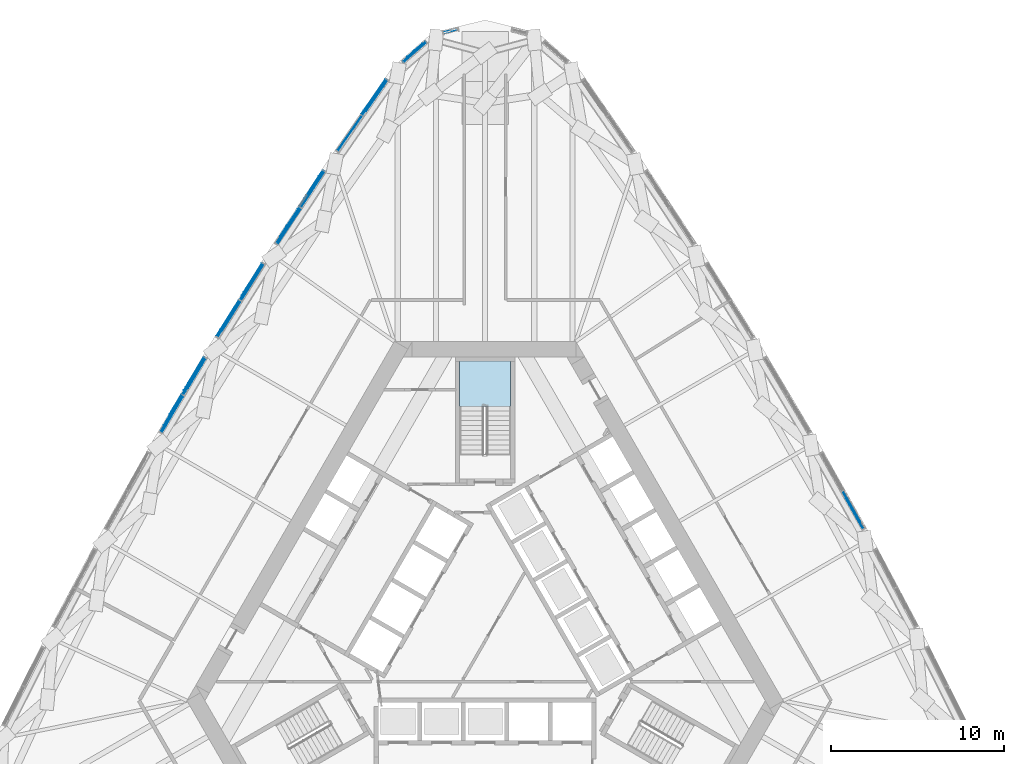
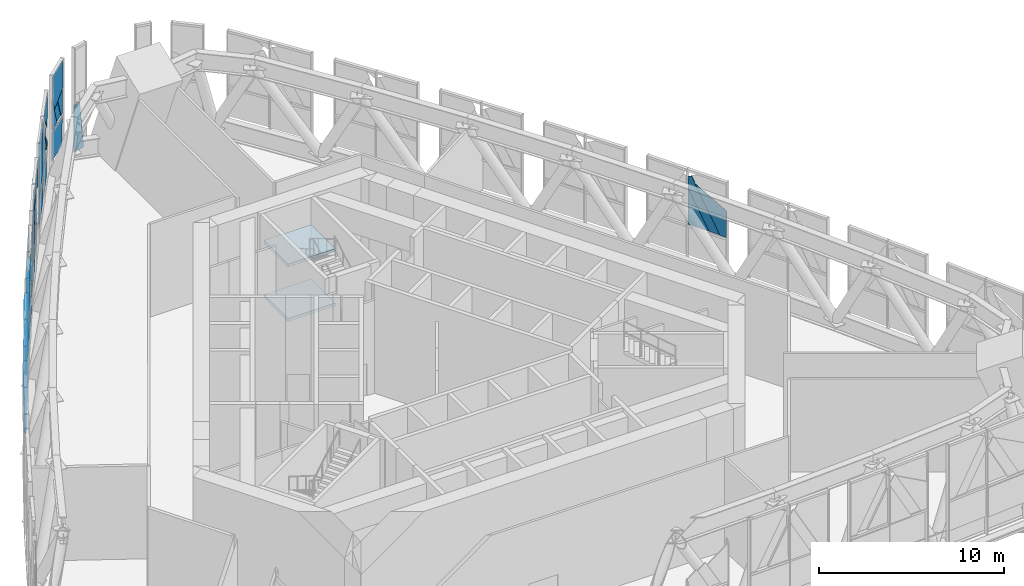
# One storey, part 16 of 33: 44 plates, 2 slabs, 4 elements without a shape of their own.
"""IFC4 building model written with IfcOpenShell, lengths in metres."""

from ifc_helpers import new_model, si_unit, direction, frame, origin, origin_2d, place, context, subcontext, project, spatial, polyline, rectangle, outline, extrude, material, layer, layer_set, type_object, element, aggregate, save


model = new_model("IFC4")

# Units and contexts
model_context = context("Model", 3, precision=1e-05, world=origin(), true_north=direction((0.0, 1.0)))
body_context = subcontext(model_context, "Body", "Model", "MODEL_VIEW")
ifc_project = project(units=[si_unit("LENGTHUNIT", "METRE"), si_unit("AREAUNIT", "SQUARE_METRE"), si_unit("VOLUMEUNIT", "CUBIC_METRE"), si_unit("PLANEANGLEUNIT", "RADIAN"), si_unit("MASSUNIT", "GRAM", prefix="KILO")], contexts=[model_context])

# Site, building, storey
site_placement = place(None, origin())
site = spatial("IfcSite", under=ifc_project, at=site_placement, CompositionType="ELEMENT")
building_placement = place(site_placement, origin())
building = spatial("IfcBuilding", under=site, at=building_placement, Name="Mestral Congress Tower", CompositionType="ELEMENT")
storey_placement = place(building_placement, frame((0.0, 0.0, 134.39990234375)))
storey = spatial("IfcBuildingStorey", under=building, at=storey_placement, Name="L32", CompositionType="ELEMENT", Elevation=134.39990234375)

# Stair, slabs
ifc_material_1 = material(Name="Concrete C60/75", Category="concrete")
stair_type = type_object("IfcStairType", Name="Exit stair 1400", PredefinedType="HALF_TURN_STAIR", material=ifc_material_1)
placement = place(storey_placement, origin())
stair = element("IfcStair", 1, at=placement, inside=storey, type_object=stair_type, Name="L32 ST2", PredefinedType="HALF_TURN_STAIR")
ifc_layer_1 = layer(ifc_material_1, 0.199951171875)
ifc_layer_set_1 = layer_set([ifc_layer_1], Name="Concrete C60/75")
slab_type = type_object("IfcSlabType", Name="Exit stair landing 200", PredefinedType="LANDING", material=ifc_layer_set_1)
slab_1_placement = place(storey_placement, frame((0.0, 0.0, 1.60009765625)))
slab_1 = element("IfcSlab", 2, at=slab_1_placement, type_object=slab_type, Name="ST2 landing 1", PredefinedType="LANDING", context=body_context, shape_type="SweptSolid", body=[
    extrude(outline(polyline([(1.485107421875, 13.139892578125), (-1.485107421875, 13.139892578125), (-1.485107421875, 15.760009765625), (1.485107421875, 15.760009765625), (1.485107421875, 13.139892578125)])), origin(), (0.0, 0.0, 1.0), 0.199951171875),
])
slab_2_placement = place(storey_placement, frame((0.0, 0.0, 5.2001953125)))
slab_2 = element("IfcSlab", 3, at=slab_2_placement, type_object=slab_type, Name="ST2 landing 3", PredefinedType="LANDING", context=body_context, shape_type="SweptSolid", body=[
    extrude(outline(polyline([(1.485107421875, 13.139892578125), (-1.485107421875, 13.139892578125), (-1.485107421875, 15.760009765625), (1.485107421875, 15.760009765625), (1.485107421875, 13.139892578125)])), origin(), (0.0, 0.0, 1.0), 0.199951171875),
])
aggregate(stair, [slab_1, slab_2])

# Curtain wall, plate
ifc_material_2 = material(Name="Clear low-emissivity double glazing", Category="glass")
curtain_wall_type = type_object("IfcCurtainWallType", Name="Facade sky lobby curtain wall", PredefinedType="USERDEFINED", material=ifc_material_2)
curtain_wall_1 = element("IfcCurtainWall", 4, at=placement, inside=storey, type_object=curtain_wall_type, Name="Facade sky lobby curtain wall face 2", ObjectType="CURTAIN WALL", PredefinedType="USERDEFINED")
ifc_material_3 = material(Name="Anodised aluminium", Category="aluminium")
ifc_layer_2 = layer(ifc_material_3, 0.031982421875)
ifc_layer_set_2 = layer_set([ifc_layer_2], Name="Anodised aluminium")
plate_type_1 = type_object("IfcPlateType", Name="Facade sky lobby curtain wall brace cover panel", PredefinedType="CURTAIN_PANEL", material=ifc_layer_set_2)
plate_1_placement = place(storey_placement, frame((20.725830078125, 8.232421875, 5.681640625), z_axis=(0.871719252501, 0.490001751785, 0.001956544568), x_axis=(0.23898934002, -0.421672463443, -0.874686474647)))
plate_1 = element("IfcPlate", 5, at=plate_1_placement, type_object=plate_type_1, Name="Facade sky lobby curtain wall brace cover panel", PredefinedType="CURTAIN_PANEL", context=body_context, shape_type="SweptSolid", body=[
    extrude(outline(polyline([(0.0, 0.0), (2.75712634184434, 0.0), (3.1002884120963685, -0.6192869659614917), (-0.6459607605218044, -0.6194148789116837), (-0.6459610632611102, -0.3579889431589903), (0.0, 0.0)])), origin(), (0.0, 0.0, -1.0), 0.031982421875),
])

# Curtain wall, plates
curtain_wall_2 = element("IfcCurtainWall", 6, at=placement, inside=storey, type_object=curtain_wall_type, Name="Facade sky lobby curtain wall face 3", ObjectType="CURTAIN WALL", PredefinedType="USERDEFINED")
plate_2_placement = place(storey_placement, frame((-7.118896484375, 30.0126953125, 3.130126953125), z_axis=(-0.822263570428, 0.569103115967, 0.002064980428), x_axis=(-0.001739041582, 0.001115835535, -0.99999786532)))
plate_2 = element("IfcPlate", 7, at=plate_2_placement, type_object=plate_type_1, Name="Facade sky lobby curtain wall brace cover panel", PredefinedType="CURTAIN_PANEL", context=body_context, shape_type="SweptSolid", body=[
    extrude(outline(polyline([(0.0, 0.0), (1.9179730515281574, 4.87890977618477e-19), (1.9177950172566582, -2.463550177395833), (-0.00017760970080053827, -2.4634112359394624), (0.0, 0.0)])), origin(), (0.0, 0.0, -1.0), 0.031982421875),
])
plate_3_placement = place(storey_placement, frame((-7.170166015625, 30.04833984375, 5.983642578125), z_axis=(-0.822233780264, 0.569146317596, 0.002019841158), x_axis=(0.407668434219, 0.591419106875, -0.695722565226)))
plate_3 = element("IfcPlate", 8, at=plate_3_placement, type_object=plate_type_1, Name="Facade sky lobby curtain wall brace cover panel", PredefinedType="CURTAIN_PANEL", context=body_context, shape_type="SweptSolid", body=[
    extrude(outline(polyline([(0.0, 0.0), (3.4291574420255886, -4.440892098500626e-16), (2.8289125173842375, -0.6197748272561543), (-0.2326462018318584, -0.6199577871185131), (-0.23278989641234685, -0.24016931263163813), (0.0, 0.0)])), origin(), (0.0, 0.0, -1.0), 0.031982421875),
])
plate_4_placement = place(storey_placement, frame((-5.962646484375, 31.742919921875, 3.27001953125), z_axis=(-0.822252228921, 0.569119608226, 0.002035575428), x_axis=(-0.268587506303, -0.391198036718, 0.880241357542)))
plate_4 = element("IfcPlate", 9, at=plate_4_placement, type_object=plate_type_1, Name="Facade sky lobby curtain wall brace cover panel", PredefinedType="CURTAIN_PANEL", context=body_context, shape_type="SweptSolid", body=[
    extrude(outline(polyline([(0.0, 0.0), (1.6599785373689082, -1.1102230246251565e-16), (3.3760495447562673, -0.5439483014466684), (3.231390110147906, -0.6218613254810341), (0.33530638434279014, -0.6219953942441415), (0.0, 0.0)])), origin(), (0.0, 0.0, -1.0), 0.031982421875),
])
plate_5_placement = place(storey_placement, frame((-10.732666015625, 24.718017578125, 3.130126953125), z_axis=(-0.835316511973, 0.549765782754, 0.001977103336), x_axis=(-0.00162555498, 0.001126382494, -0.999998044415)))
plate_5 = element("IfcPlate", 10, at=plate_5_placement, type_object=plate_type_1, Name="Facade sky lobby curtain wall brace cover panel", PredefinedType="CURTAIN_PANEL", context=body_context, shape_type="SweptSolid", body=[
    extrude(outline(polyline([(0.0, 0.0), (1.9179726334424048, -2.710505431213761e-20), (1.9180886458603246, -2.4601028322546785), (0.00011628741364585853, -2.4603067673358137), (0.0, 0.0)])), origin(), (0.0, 0.0, -1.0), 0.031982421875),
])
plate_6_placement = place(storey_placement, frame((-10.701416015625, 24.697509765625, 5.773681640625), z_axis=(-0.835428461416, 0.549596012068, 0.001873332742), x_axis=(0.261384653446, 0.400318661583, -0.878306912264)))
plate_6 = element("IfcPlate", 11, at=plate_6_placement, type_object=plate_type_1, Name="Facade sky lobby curtain wall brace cover panel", PredefinedType="CURTAIN_PANEL", context=body_context, shape_type="SweptSolid", body=[
    extrude(outline(polyline([(0.0, 0.0), (2.8505548759342987, 0.0), (3.1886641360212846, -0.6211413657917413), (-0.5470432195846366, -0.6209494311821854), (-0.5470498902728441, -0.29769304819568), (0.0, 0.0)])), origin(), (0.0, 0.0, -1.0), 0.031982421875),
])
plate_7_placement = place(storey_placement, frame((-12.09130859375, 22.59521484375, 3.130126953125), z_axis=(-0.835362083622, 0.549696534741, 0.001977103823), x_axis=(-0.001625557067, 0.00112638734, -0.999998044406)))
plate_7 = element("IfcPlate", 12, at=plate_7_placement, type_object=plate_type_1, Name="Facade sky lobby curtain wall brace cover panel", PredefinedType="CURTAIN_PANEL", context=body_context, shape_type="SweptSolid", body=[
    extrude(outline(polyline([(0.0, 0.0), (1.9179726334427005, 1.0842021724855044e-19), (1.9180890498597358, -2.459968614701264), (0.00011669141394442554, -2.460172560908268), (0.0, 0.0)])), origin(), (0.0, 0.0, -1.0), 0.031982421875),
])
plate_8_placement = place(storey_placement, frame((-10.76171875, 24.665283203125, 6.474853515625), z_axis=(-0.835338317343, 0.549732497077, 0.002019216773), x_axis=(-0.477304548522, -0.727094009539, 0.49347205519)))
plate_8 = element("IfcPlate", 13, at=plate_8_placement, type_object=plate_type_1, Name="Facade sky lobby curtain wall brace cover panel", PredefinedType="CURTAIN_PANEL", context=body_context, shape_type="SweptSolid", body=[
    extrude(outline(polyline([(0.0, 0.0), (0.1617804960882904, 0.0), (0.16522163657669542, -3.7784776717354482), (-0.4555283587281369, -3.4262851231063083), (-0.45782186486019255, -0.8069035241764249), (0.0, 0.0)])), origin(), (0.0, 0.0, -1.0), 0.031982421875),
])
plate_9_placement = place(storey_placement, frame((-14.136962890625, 19.290283203125, 3.130126953125), z_axis=(-0.847943586976, 0.53008258761, 0.002030669605), x_axis=(-0.001764919386, 0.001007604002, -0.999997934895)))
plate_9 = element("IfcPlate", 14, at=plate_9_placement, type_object=plate_type_1, Name="Facade sky lobby curtain wall brace cover panel", PredefinedType="CURTAIN_PANEL", context=body_context, shape_type="SweptSolid", body=[
    extrude(outline(polyline([(0.0, 0.0), (1.9179727896085117, 1.3552527156068805e-19), (1.9177730280930492, -2.460302704639963), (-0.00019957662401126923, -2.4599662717886703), (0.0, 0.0)])), origin(), (0.0, 0.0, -1.0), 0.031982421875),
])
plate_10_placement = place(storey_placement, frame((-14.190185546875, 19.323486328125, 5.726318359375), z_axis=(-0.847975398083, 0.530031928087, 0.001969632835), x_axis=(0.253734025927, 0.409195182952, -0.876457840592)))
plate_10 = element("IfcPlate", 15, at=plate_10_placement, type_object=plate_type_1, Name="Facade sky lobby curtain wall brace cover panel", PredefinedType="CURTAIN_PANEL", context=body_context, shape_type="SweptSolid", body=[
    extrude(outline(polyline([(0.0, 0.0), (2.8025291323364856, 2.220446049250313e-16), (3.1432364622972226, -0.6202102110774927), (-0.5969266691328174, -0.6201707226823723), (-0.5967773029373981, -0.3278640748599077), (0.0, 0.0)])), origin(), (0.0, 0.0, -1.0), 0.031982421875),
])
plate_11_placement = place(storey_placement, frame((-15.501708984375, 17.171142578125, 3.130126953125), z_axis=(-0.847957586157, 0.530060321411, 0.001996933552), x_axis=(-0.001700546186, 0.001046934677, -0.999998006033)))
plate_11 = element("IfcPlate", 16, at=plate_11_placement, type_object=plate_type_1, Name="Facade sky lobby curtain wall brace cover panel", PredefinedType="CURTAIN_PANEL", context=body_context, shape_type="SweptSolid", body=[
    extrude(outline(polyline([(0.0, 0.0), (1.9179723676696656, 1.3552527156068805e-20), (1.917939027737084, -2.460173301136086), (-3.375510499011112e-05, -2.46030271064662), (0.0, 0.0)])), origin(), (0.0, 0.0, -1.0), 0.031982421875),
])
plate_12_placement = place(storey_placement, frame((-14.1630859375, 19.23583984375, 6.453369140625), z_axis=(-0.847994013835, 0.530001881182, 0.002039226284), x_axis=(-0.460714180322, -0.739025997768, 0.491510954785)))
plate_12 = element("IfcPlate", 17, at=plate_12_placement, type_object=plate_type_1, Name="Facade sky lobby curtain wall brace cover panel", PredefinedType="CURTAIN_PANEL", context=body_context, shape_type="SweptSolid", body=[
    extrude(outline(polyline([(0.0, 0.0), (0.1971958117179576, 0.0), (0.19497450438763142, -3.7654133271403847), (-0.42434603001281257, -3.4158740459600896), (-0.42291904872308844, -0.7492311984539295), (0.0, 0.0)])), origin(), (0.0, 0.0, -1.0), 0.031982421875),
])
plate_13_placement = place(storey_placement, frame((-17.52783203125, 13.853759765625, 3.130126953125), z_axis=(-0.860115573133, 0.510095078563, 0.002052237608), x_axis=(-0.001782073639, 0.001018327794, -0.999997893609)))
plate_13 = element("IfcPlate", 18, at=plate_13_placement, type_object=plate_type_1, Name="Facade sky lobby curtain wall brace cover panel", PredefinedType="CURTAIN_PANEL", context=body_context, shape_type="SweptSolid", body=[
    extrude(outline(polyline([(0.0, 0.0), (1.917972790000996, -8.131516293641283e-20), (1.917891244220625, -2.4600907202653413), (-8.154578037081759e-05, -2.4600907202653413), (0.0, 0.0)])), origin(), (0.0, 0.0, -1.0), 0.031982421875),
])
plate_14_placement = place(storey_placement, frame((-17.48388671875, 13.82763671875, 5.681640625), z_axis=(-0.860248727801, 0.509871175236, 0.001873760751), x_axis=(0.245744445919, 0.417831517076, -0.874657927786)))
plate_14 = element("IfcPlate", 19, at=plate_14_placement, type_object=plate_type_1, Name="Facade sky lobby curtain wall brace cover panel", PredefinedType="CURTAIN_PANEL", context=body_context, shape_type="SweptSolid", body=[
    extrude(outline(polyline([(0.0, 0.0), (2.757216498332889, 0.0), (3.100362943425998, -0.6191729717564587), (-0.6458921925002661, -0.6195098865658291), (-0.6459631357111386, -0.3579852020399073), (0.0, 0.0)])), origin(), (0.0, 0.0, -1.0), 0.031982421875),
])
plate_15_placement = place(storey_placement, frame((-18.7841796875, 11.668701171875, 3.130126953125), z_axis=(-0.860141391957, 0.510051540685, 0.002052239284), x_axis=(-0.001782073639, 0.001018327794, -0.999997893609)))
plate_15 = element("IfcPlate", 20, at=plate_15_placement, type_object=plate_type_1, Name="Facade sky lobby curtain wall brace cover panel", PredefinedType="CURTAIN_PANEL", context=body_context, shape_type="SweptSolid", body=[
    extrude(outline(polyline([(0.0, 0.0), (1.917972790000996, -2.303929616531697e-19), (1.9178914928358093, -2.460300713021339), (-8.129716518676024e-05, -2.460300713021339), (0.0, 0.0)])), origin(), (0.0, 0.0, -1.0), 0.031982421875),
])
plate_16_placement = place(storey_placement, frame((-17.552734375, 13.798828125, 6.435302734375), z_axis=(-0.860062535073, 0.510184901408, 0.001949907439), x_axis=(-0.444373515077, -0.750985344379, 0.488419073774)))
plate_16 = element("IfcPlate", 21, at=plate_16_placement, type_object=plate_type_1, Name="Facade sky lobby curtain wall brace cover panel", PredefinedType="CURTAIN_PANEL", context=body_context, shape_type="SweptSolid", body=[
    extrude(outline(polyline([(0.0, 0.0), (0.22993454961649618, -1.3877787807814457e-17), (0.2275316163738712, -3.7547417531485694), (-0.3914317442090487, -3.4082933017898416), (-0.3895850214928394, -0.6962709982253122), (0.0, 0.0)])), origin(), (0.0, 0.0, -1.0), 0.031982421875),
])

curtain_wall_3 = element("IfcCurtainWall", 22, at=placement, inside=storey, type_object=curtain_wall_type, Name="Facade sky lobby curtain wall corner 2", ObjectType="CURTAIN WALL", PredefinedType="USERDEFINED")
plate_17_placement = place(storey_placement, frame((-4.740478515625, 33.13037109375, 3.130126953125), z_axis=(-0.655839394244, 0.754897721151, 0.002029669844), x_axis=(-0.001300285447, 0.001559002244, -0.999997939383)))
plate_17 = element("IfcPlate", 23, at=plate_17_placement, type_object=plate_type_1, Name="Facade sky lobby curtain wall brace cover panel", PredefinedType="CURTAIN_PANEL", context=body_context, shape_type="SweptSolid", body=[
    extrude(outline(polyline([(0.0, 0.0), (1.9179725397149254, 1.3552527156068805e-20), (1.918042155317286, -1.6992562969253133), (6.929814985895573e-05, -1.6994405985195162), (0.0, 0.0)])), origin(), (0.0, 0.0, -1.0), 0.031982421875),
])
plate_18_placement = place(storey_placement, frame((-3.63671875, 34.1337890625, 3.27001953125), z_axis=(-0.655862776531, 0.754877617706, 0.001949525069), x_axis=(-0.281141417735, -0.246660155172, 0.927425614853)))
plate_18 = element("IfcPlate", 24, at=plate_18_placement, type_object=plate_type_1, Name="Facade sky lobby curtain wall brace cover panel", PredefinedType="CURTAIN_PANEL", context=body_context, shape_type="SweptSolid", body=[
    extrude(outline(polyline([(0.0, 0.0), (1.5334049146965496, 0.0), (1.5332299997848868, -0.6190521174156305), (0.249514097376694, -0.6187281148566603), (0.0, 0.0)])), origin(), (0.0, 0.0, -1.0), 0.031982421875),
])

# Plate
ifc_layer_3 = layer(ifc_material_2, 0.031982421875)
ifc_layer_set_3 = layer_set([ifc_layer_3], Name="Clear low-emissivity double glazing")
plate_type_2 = type_object("IfcPlateType", Name="Facade sky lobby curtain wall panel", PredefinedType="CURTAIN_PANEL", material=ifc_layer_set_3)
plate_19_placement = place(storey_placement, frame((21.905517578125, 6.073486328125, 3.27001953125), z_axis=(0.871878281198, 0.489718291983, 0.002063316117), x_axis=(-0.001816875559, -0.000978557247, 0.999997870692)))
plate_19 = element("IfcPlate", 25, at=plate_19_placement, type_object=plate_type_2, Name="Sky lobby glass unit", PredefinedType="CURTAIN_PANEL", context=body_context, shape_type="SweptSolid", body=[
    extrude(outline(polyline([(0.0, 0.0), (1.7568396354453144, 8.131516293641283e-20), (2.881671533337525, -2.0123509150534855), (1.5165211005812847e-05, -0.4158124822726935), (0.0, 0.0)])), origin(), (0.0, 0.0, -1.0), 0.031982421875),
])

plate_20_placement = place(storey_placement, frame((21.386474609375, 7.07080078125, 3.27001953125), z_axis=(0.871749377609, 0.489947994708, 0.00199627651), x_axis=(-0.23899359883, 0.421670069518, 0.874686465078)))
plate_20 = element("IfcPlate", 26, at=plate_20_placement, type_object=plate_type_2, Name="Sky lobby glass unit", PredefinedType="CURTAIN_PANEL", context=body_context, shape_type="SweptSolid", body=[
    extrude(outline(polyline([(0.0, 0.0), (2.7571263418772443, -2.220446049250313e-16), (0.6477515634286949, -1.1689642980313375), (0.0, 0.0)])), origin(), (0.0, 0.0, -1.0), 0.031982421875),
])

aggregate(curtain_wall_1, [plate_19, plate_20, plate_1])

plate_21_placement = place(storey_placement, frame((-7.118896484375, 30.0126953125, 3.27001953125), z_axis=(-0.822190427692, 0.569208757633, 0.002071435816), x_axis=(0.56920997883, 0.822192191644, 0.0)))
plate_21 = element("IfcPlate", 27, at=plate_21_placement, type_object=plate_type_2, Name="Sky lobby glass unit", PredefinedType="CURTAIN_PANEL", context=body_context, shape_type="SweptSolid", body=[
    extrude(outline(polyline([(0.0, 0.0), (1.3742319909911416, 2.168404344971009e-19), (9.264485332524533e-05, -2.549321875630086), (0.0, 0.0)])), origin(), (0.0, 0.0, -1.0), 0.031982421875),
])

plate_22_placement = place(storey_placement, frame((-5.688720703125, 32.018798828125, 3.27001953125), z_axis=(-0.82234770845, 0.568982634597, 0.001734339534), x_axis=(0.001559948705, -0.000793550817, 0.999998468417)))
plate_22 = element("IfcPlate", 28, at=plate_22_placement, type_object=plate_type_2, Name="Sky lobby glass unit", PredefinedType="CURTAIN_PANEL", context=body_context, shape_type="SweptSolid", body=[
    extrude(outline(polyline([(0.0, 0.0), (0.32788131263007575, 2.710505431213761e-20), (1.4609087577089446, -1.17068021164251), (-8.998711947948612e-05, -0.38270044444584284), (0.0, 0.0)])), origin(), (0.0, 0.0, -1.0), 0.031982421875),
])

plate_23_placement = place(storey_placement, frame((-6.9091796875, 30.243896484375, 6.5556640625), z_axis=(-0.822267776381, 0.569097448635, 0.001948815855), x_axis=(0.269027407696, 0.391720753955, -0.879874482429)))
plate_23 = element("IfcPlate", 29, at=plate_23_placement, type_object=plate_type_2, Name="Sky lobby glass unit", PredefinedType="CURTAIN_PANEL", context=body_context, shape_type="SweptSolid", body=[
    extrude(outline(polyline([(0.0, 0.0), (0.02108803629786734, -1.734723475976807e-18), (2.866865898629352, -0.8996410934963291), (0.7996526023431729, -2.0159595130526857), (0.0005086109925869775, -0.5362811343649528), (0.0, 0.0)])), origin(), (0.0, 0.0, -1.0), 0.031982421875),
])

plate_24_placement = place(storey_placement, frame((-8.55517578125, 27.93798828125, 3.130126953125), z_axis=(-0.822247634889, 0.569126383819, 0.00199653718), x_axis=(-0.001641536368, 0.00113645022, -0.999998006918)))
plate_24 = element("IfcPlate", 30, at=plate_24_placement, type_object=plate_type_2, Name="Sky lobby glass unit", PredefinedType="CURTAIN_PANEL", context=body_context, shape_type="SweptSolid", body=[
    extrude(outline(polyline([(0.0, 0.0), (1.9179726343676111, 4.408806490458633e-19), (1.9179730699419957, -2.4635501856798583), (5.588864324095749e-07, -2.463210494080264), (0.0, 0.0)])), origin(), (0.0, 0.0, -1.0), 0.031982421875),
])

plate_25_placement = place(storey_placement, frame((-7.837158203125, 28.93896484375, 3.27001953125), z_axis=(0.0, 0.0, 1.0), x_axis=(-0.569137458641, -0.822242393198, 0.0)))
plate_25 = element("IfcPlate", 31, at=plate_25_placement, type_object=plate_type_2, Name="Sky lobby glass unit", PredefinedType="CURTAIN_PANEL", context=body_context, shape_type="SweptSolid", body=[
    extrude(rectangle(XDim=2.46337890625, YDim=0.031982421875, at=origin_2d()), origin(), (0.0, 0.0, 1.0), 3.5400390625),
])

plate_26_placement = place(storey_placement, frame((-10.65478515625, 24.70703125, 5.7119140625), z_axis=(-0.835334650033, 0.549738257503, 0.001967407421), x_axis=(-0.272672071194, -0.411216021284, -0.869799589233)))
plate_26 = element("IfcPlate", 32, at=plate_26_placement, type_object=plate_type_2, Name="Sky lobby glass unit", PredefinedType="CURTAIN_PANEL", context=body_context, shape_type="SweptSolid", body=[
    extrude(outline(polyline([(0.0, 0.0), (0.06820659668995506, 0.0), (2.1405243623721915, -1.1756502598098852), (1.4680802965180995, -2.3610778559238037), (0.0, 0.0)])), origin(), (0.0, 0.0, -1.0), 0.031982421875),
])

plate_27_placement = place(storey_placement, frame((-10.3984375, 25.094482421875, 6.1572265625), z_axis=(-0.835331014666, 0.549744061614, 0.001887500346), x_axis=(0.477122949388, 0.726680891881, -0.494255574114)))
plate_27 = element("IfcPlate", 33, at=plate_27_placement, type_object=plate_type_2, Name="Sky lobby glass unit", PredefinedType="CURTAIN_PANEL", context=body_context, shape_type="SweptSolid", body=[
    extrude(outline(polyline([(0.0, 0.0), (2.2568867569781546, -1.1102230246251565e-16), (1.3828679349437074, -1.5372136003462327), (-0.0951610009144638, -0.6968684239638547), (-0.3807707596174368, -0.23650877663138853), (0.0, 0.0)])), origin(), (0.0, 0.0, -1.0), 0.031982421875),
])

plate_28_placement = place(storey_placement, frame((-9.408203125, 26.79150390625, 3.27001953125), z_axis=(-0.835288149603, 0.549808725183, 0.002018129114), x_axis=(0.001742596885, -0.001023182135, 0.999997958225)))
plate_28 = element("IfcPlate", 34, at=plate_28_placement, type_object=plate_type_2, Name="Sky lobby glass unit", PredefinedType="CURTAIN_PANEL", context=body_context, shape_type="SweptSolid", body=[
    extrude(outline(polyline([(0.0, 0.0), (1.7717317520208211, -8.131516293641283e-20), (2.8870099640448568, -1.9620632867461938), (-4.072697604217502e-05, -0.3900291761736442), (0.0, 0.0)])), origin(), (0.0, 0.0, -1.0), 0.031982421875),
])

plate_29_placement = place(storey_placement, frame((-10.677490234375, 24.610107421875, 6.81005859375), z_axis=(-0.835323244584, 0.549755546998, 0.001978788068), x_axis=(-0.549756623264, -0.835324880018, 2.9733e-08)))
plate_29 = element("IfcPlate", 35, at=plate_29_placement, type_object=plate_type_2, Name="Sky lobby glass unit", PredefinedType="CURTAIN_PANEL", context=body_context, shape_type="SweptSolid", body=[
    extrude(outline(polyline([(0.0, 0.0), (2.4603067707215533, 0.0), (2.460264907869006, -3.5400460663628697), (2.008683016880834, -3.5400459797848054), (0.0, 0.0)])), origin(), (0.0, 0.0, -1.0), 0.031982421875),
])

plate_30_placement = place(storey_placement, frame((-10.73876953125, 24.650146484375, 3.27001953125), z_axis=(-0.835369800349, 0.549684642893, 0.002022382678), x_axis=(0.001715446259, -0.001072153912, 0.999997953863)))
plate_30 = element("IfcPlate", 36, at=plate_30_placement, type_object=plate_type_2, Name="Sky lobby glass unit", PredefinedType="CURTAIN_PANEL", context=body_context, shape_type="SweptSolid", body=[
    extrude(outline(polyline([(0.0, 0.0), (2.2771042686423737, -2.981555974335137e-19), (-6.12509803328287e-05, -1.294685006942789), (0.0, 0.0)])), origin(), (0.0, 0.0, -1.0), 0.031982421875),
])

plate_31_placement = place(storey_placement, frame((-13.4501953125, 20.452392578125, 3.27001953125), z_axis=(-0.847976780448, 0.530029594934, 0.002002077736), x_axis=(-0.253727862502, -0.409241361545, 0.876438063865)))
plate_31 = element("IfcPlate", 37, at=plate_31_placement, type_object=plate_type_2, Name="Sky lobby glass unit", PredefinedType="CURTAIN_PANEL", context=body_context, shape_type="SweptSolid", body=[
    extrude(outline(polyline([(0.0, 0.0), (2.7872716127531847, 0.0), (2.779091883184738, -0.012997745005879802), (0.6497892819072849, -1.1827369895729705), (0.0, 0.0)])), origin(), (0.0, 0.0, -1.0), 0.031982421875),
])

plate_32_placement = place(storey_placement, frame((-12.9130859375, 21.426513671875, 6.81005859375), z_axis=(-0.847968296186, 0.530043060808, 0.002030358033), x_axis=(-0.530044153399, -0.847970043956, -4.3849e-08)))
plate_32 = element("IfcPlate", 38, at=plate_32_placement, type_object=plate_type_2, Name="Sky lobby glass unit", PredefinedType="CURTAIN_PANEL", context=body_context, shape_type="SweptSolid", body=[
    extrude(outline(polyline([(0.0, 0.0), (1.7272065109719497, 0.0), (2.2042314687152875, -0.26196311880816797), (1.987159704547758, -0.6572279005519336), (0.00023317941010040882, -1.77710324994344), (0.0, 0.0)])), origin(), (0.0, 0.0, -1.0), 0.031982421875),
])

plate_33_placement = place(storey_placement, frame((-13.909912109375, 19.706298828125, 6.15283203125), z_axis=(-0.847948388421, 0.530074949097, 0.002019632298), x_axis=(0.25373106924, 0.409226932864, -0.876443872659)))
plate_33 = element("IfcPlate", 39, at=plate_33_placement, type_object=plate_type_2, Name="Sky lobby glass unit", PredefinedType="CURTAIN_PANEL", context=body_context, shape_type="SweptSolid", body=[
    extrude(outline(polyline([(0.0, 0.0), (3.289214808341112, 0.0), (3.4833900081769746, -0.35344423424378313), (1.9382785540678424, -1.2023258338047595), (0.0, 0.0)])), origin(), (0.0, 0.0, -1.0), 0.031982421875),
])

plate_34_placement = place(storey_placement, frame((-15.552978515625, 17.203125, 6.81005859375), z_axis=(-0.848020354798, 0.529959640855, 0.002063228706), x_axis=(-0.001737992294, 0.001112106331, -0.999997871299)))
plate_34 = element("IfcPlate", 40, at=plate_34_placement, type_object=plate_type_2, Name="Sky lobby glass unit", PredefinedType="CURTAIN_PANEL", context=body_context, shape_type="SweptSolid", body=[
    extrude(outline(polyline([(0.0, 0.0), (3.540046478843366, -8.267041565201971e-19), (3.540056279067763, -0.43957822534700597), (5.350783262864306e-05, -2.435044933877496), (0.0, 0.0)])), origin(), (0.0, 0.0, -1.0), 0.031982421875),
])

plate_35_placement = place(storey_placement, frame((-14.226318359375, 19.275146484375, 3.27001953125), z_axis=(-0.848038382912, 0.529930757308, 0.002072092494), x_axis=(0.001786648815, -0.001050969891, 0.999997851672)))
plate_35 = element("IfcPlate", 41, at=plate_35_placement, type_object=plate_type_2, Name="Sky lobby glass unit", PredefinedType="CURTAIN_PANEL", context=body_context, shape_type="SweptSolid", body=[
    extrude(outline(polyline([(0.0, 0.0), (2.323003037447838, -5.692061405548898e-19), (-7.271603203715159e-05, -1.3093147662583617), (0.0, 0.0)])), origin(), (0.0, 0.0, -1.0), 0.031982421875),
])

plate_36_placement = place(storey_placement, frame((-16.81689453125, 14.98583984375, 3.27001953125), z_axis=(-0.860251386082, 0.509866557349, 0.001909565474), x_axis=(-0.245715283655, -0.417848801286, 0.874657863763)))
plate_36 = element("IfcPlate", 42, at=plate_36_placement, type_object=plate_type_2, Name="Sky lobby glass unit", PredefinedType="CURTAIN_PANEL", context=body_context, shape_type="SweptSolid", body=[
    extrude(outline(polyline([(0.0, 0.0), (2.757216499917166, -2.220446049250313e-16), (0.6478128325034533, -1.1689113255397376), (0.0, 0.0)])), origin(), (0.0, 0.0, -1.0), 0.031982421875),
])

plate_37_placement = place(storey_placement, frame((-16.294189453125, 15.982421875, 6.81005859375), z_axis=(-0.860085218095, 0.510146038169, 0.002106503071), x_axis=(-0.510147169878, -0.860087126439, 7.9328e-08)))
plate_37 = element("IfcPlate", 43, at=plate_37_placement, type_object=plate_type_2, Name="Sky lobby glass unit", PredefinedType="CURTAIN_PANEL", context=body_context, shape_type="SweptSolid", body=[
    extrude(outline(polyline([(0.0, 0.0), (1.7564597782847913, 2.168404344971009e-19), (2.2314749208429703, -0.26318449811005223), (2.012489461989514, -0.6584488206174295), (-6.087969130546505e-05, -1.783207017784182), (0.0, 0.0)])), origin(), (0.0, 0.0, -1.0), 0.031982421875),
])

plate_38_placement = place(storey_placement, frame((-17.2255859375, 14.19482421875, 6.151611328125), z_axis=(-0.860104131657, 0.510114510772, 0.002017078626), x_axis=(0.24574220437, 0.417804555371, -0.874671436885)))
plate_38 = element("IfcPlate", 44, at=plate_38_placement, type_object=plate_type_2, Name="Sky lobby glass unit", PredefinedType="CURTAIN_PANEL", context=body_context, shape_type="SweptSolid", body=[
    extrude(outline(polyline([(0.0, 0.0), (3.2944849127019635, -2.220446049250313e-16), (3.496055627842421, -0.36373799351534397), (1.9593053373596847, -1.2151388703068557), (0.0, 0.0)])), origin(), (0.0, 0.0, -1.0), 0.031982421875),
])

plate_39_placement = place(storey_placement, frame((-18.73828125, 11.6416015625, 6.81005859375), z_axis=(-0.860140071782, 0.510054017528, 0.001988999469), x_axis=(-0.001735775159, 0.000972418107, -0.999998020742)))
plate_39 = element("IfcPlate", 45, at=plate_39_placement, type_object=plate_type_2, Name="Sky lobby glass unit", PredefinedType="CURTAIN_PANEL", context=body_context, shape_type="SweptSolid", body=[
    extrude(outline(polyline([(0.0, 0.0), (3.5400459738743493, -5.421010862427522e-19), (3.540025130005222, -0.4279987757675159), (-0.00011781089788666117, -2.4061202191198565), (0.0, 0.0)])), origin(), (0.0, 0.0, -1.0), 0.031982421875),
])

plate_40_placement = place(storey_placement, frame((-17.58740234375, 13.8193359375, 3.27001953125), z_axis=(-0.86005302669, 0.510200948036, 0.001945226143), x_axis=(0.00164999172, -0.001031244825, 0.999998107029)))
plate_40 = element("IfcPlate", 46, at=plate_40_placement, type_object=plate_type_2, Name="Sky lobby glass unit", PredefinedType="CURTAIN_PANEL", context=body_context, shape_type="SweptSolid", body=[
    extrude(outline(polyline([(0.0, 0.0), (2.367436122113101, 1.6263032587282567e-19), (5.966919521004392e-05, -1.3231013248315289), (0.0, 0.0)])), origin(), (0.0, 0.0, -1.0), 0.031982421875),
])

aggregate(curtain_wall_2, [plate_2, plate_21, plate_22, plate_23, plate_3, plate_4, plate_24, plate_25, plate_5, plate_26, plate_27, plate_28, plate_6, plate_7, plate_29, plate_30, plate_8, plate_9, plate_31, plate_32, plate_33, plate_10, plate_11, plate_34, plate_35, plate_12, plate_13, plate_36, plate_37, plate_38, plate_14, plate_15, plate_39, plate_40, plate_16])

plate_41_placement = place(storey_placement, frame((-2.4013671875, 34.79736328125, 0.0), z_axis=(-0.236055468589, 0.971737542475, 0.001991053666), x_axis=(0.971739468664, 0.236055936255, 1.20085e-07)))
plate_41 = element("IfcPlate", 47, at=plate_41_placement, type_object=plate_type_2, Name="Sky lobby glass unit", PredefinedType="CURTAIN_PANEL", context=body_context, shape_type="SweptSolid", body=[
    extrude(outline(polyline([(0.0, 0.0), (0.7386372012591, 0.0), (0.4414240012789689, -3.1301331045077974), (-1.694872663691691e-05, -3.130133246217791), (0.0, 0.0)])), origin(), (0.0, 0.0, -1.0), 0.031982421875),
])

plate_42_placement = place(storey_placement, frame((-4.740234375, 33.130126953125, 3.27001953125), z_axis=(-0.655729748196, 0.754992950024, 0.002035373605), x_axis=(0.754994513901, 0.655731106461, 0.0)))
plate_42 = element("IfcPlate", 48, at=plate_42_placement, type_object=plate_type_2, Name="Sky lobby glass unit", PredefinedType="CURTAIN_PANEL", context=body_context, shape_type="SweptSolid", body=[
    extrude(outline(polyline([(0.0, 0.0), (0.8239401757851462, -1.0842021724855044e-19), (-5.360467067463612e-05, -2.0424846995017476), (0.0, 0.0)])), origin(), (0.0, 0.0, -1.0), 0.031982421875),
])

plate_43_placement = place(storey_placement, frame((-4.71337890625, 33.09912109375, 6.81005859375), z_axis=(-0.655790813045, 0.754939938808, 0.002024430622), x_axis=(-0.001344516488, 0.001513636852, -0.999997950587)))
plate_43 = element("IfcPlate", 49, at=plate_43_placement, type_object=plate_type_2, Name="Sky lobby glass unit", PredefinedType="CURTAIN_PANEL", context=body_context, shape_type="SweptSolid", body=[
    extrude(outline(polyline([(0.0, 0.0), (1.4975614765054583, -1.0164395367051604e-19), (2.3496061965309107, -0.34394338948803704), (1.8027000196266263, -1.6993990243669868), (-3.8377820656966674e-05, -1.6992804956247949), (0.0, 0.0)])), origin(), (0.0, 0.0, -1.0), 0.031982421875),
])

plate_44_placement = place(storey_placement, frame((-3.45751953125, 34.24462890625, 3.27001953125), z_axis=(-0.655883498026, 0.754859331756, 0.002055791232), x_axis=(0.001383779629, -0.001521063083, 0.999997885758)))
plate_44 = element("IfcPlate", 50, at=plate_44_placement, type_object=plate_type_2, Name="Sky lobby glass unit", PredefinedType="CURTAIN_PANEL", context=body_context, shape_type="SweptSolid", body=[
    extrude(outline(polyline([(0.0, 0.0), (1.7373084776723984, 9.486769009248164e-20), (1.4220854691061184, -0.7817369367211726), (-9.642587357592495e-06, -0.208011529596892), (0.0, 0.0)])), origin(), (0.0, 0.0, -1.0), 0.031982421875),
])

aggregate(curtain_wall_3, [plate_41, plate_17, plate_42, plate_43, plate_44, plate_18])

save(model, "model.ifc")
